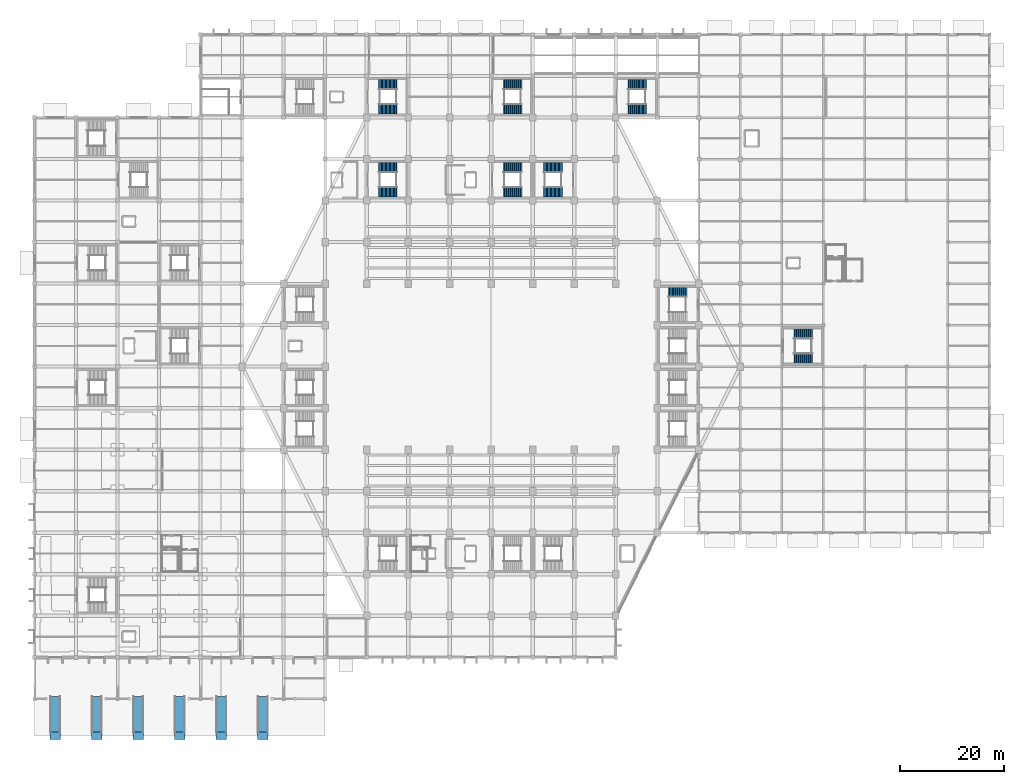
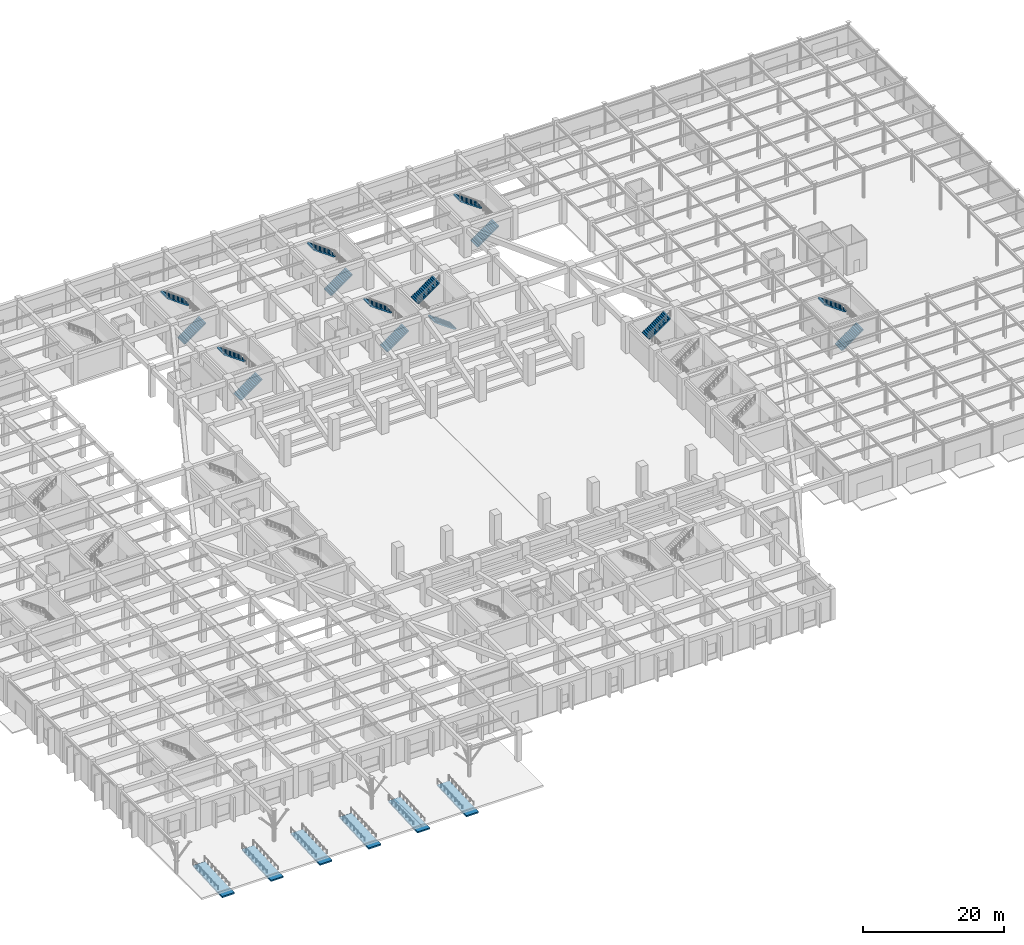
# One storey, part 34 of 39: 15 stair flights, 6 ramps, 6 ramp flights, 8 elements without a shape of their own.
"""IFC4 building model written with IfcOpenShell, lengths in metres."""

from ifc_helpers import new_model, si_unit, direction, frame, origin, origin_2d, place, context, subcontext, project, spatial, polyline, rectangle, outline, extrude, material, layer, layer_set, type_object, element, aggregate, save


model = new_model("IFC4")

# Units and contexts
model_context = context("Model", 3, precision=1e-05, world=origin(), true_north=direction((0.0, 1.0)))
body_context = subcontext(model_context, "Body", "Model", "MODEL_VIEW")
ifc_project = project(units=[si_unit("LENGTHUNIT", "METRE"), si_unit("AREAUNIT", "SQUARE_METRE"), si_unit("VOLUMEUNIT", "CUBIC_METRE"), si_unit("PLANEANGLEUNIT", "RADIAN"), si_unit("MASSUNIT", "GRAM", prefix="KILO")], contexts=[model_context])

# Site, building, storey
site_placement = place(None, origin())
site = spatial("IfcSite", under=ifc_project, at=site_placement, CompositionType="ELEMENT")
building_placement = place(site_placement, origin())
building = spatial("IfcBuilding", under=site, at=building_placement, Name="Tazarka Park Arena", CompositionType="ELEMENT")
storey_placement = place(building_placement, origin())
storey = spatial("IfcBuildingStorey", under=building, at=storey_placement, Name="L00", CompositionType="ELEMENT", Elevation=0.0)

# Stair, stair flights
ifc_material_1 = material(Name="Precast concrete C40/50", Category="concrete")
stair_type_1 = type_object("IfcStairType", Name="STR-2400", PredefinedType="HALF_TURN_STAIR", material=ifc_material_1)
stair_1_placement = place(storey_placement, origin())
stair_1 = element("IfcStair", 1, at=stair_1_placement, inside=storey, type_object=stair_type_1, Name="Stair ST06 L00", PredefinedType="HALF_TURN_STAIR")
ifc_material_2 = material(Name="Precast concrete C40/50", Category="concrete")
stair_flight_type_1 = type_object("IfcStairFlightType", Name="FLT-1350", PredefinedType="STRAIGHT", material=ifc_material_2)
stair_flight_1_placement = place(storey_placement, frame((66.31494140625, 113.6298828125, 0.0), z_axis=(0.0, 0.0, 1.0), x_axis=(1.0, 0.0, 0.0)))
stair_flight_1 = element("IfcStairFlight", 2, at=stair_flight_1_placement, type_object=stair_flight_type_1, Name="ST06-L00 flight 1", NumberOfRisers=15, NumberOfTreads=14, PredefinedType="STRAIGHT", RiserHeight=0.18, TreadLength=0.255, context=body_context, shape_type="SweptSolid", body=[
    extrude(outline(polyline([(0.0, 0.0), (0.0, 0.179931640625), (0.2548828125, 0.179931640625), (0.2548828125, 0.360107421875), (0.510009765625, 0.360107421875), (0.510009765625, 0.5400390625), (0.764892578125, 0.5400390625), (0.764892578125, 0.719970703125), (1.02001953125, 0.719970703125), (1.02001953125, 0.89990234375), (1.27490234375, 0.89990234375), (1.27490234375, 1.080078125), (1.530029296875, 1.080078125), (1.530029296875, 1.260009765625), (1.784912109375, 1.260009765625), (1.784912109375, 1.43994140625), (2.0400390625, 1.43994140625), (2.0400390625, 1.6201171875), (2.294921875, 1.6201171875), (2.294921875, 1.800048828125), (2.550048828125, 1.800048828125), (2.550048828125, 1.97998046875), (2.804931640625, 1.97998046875), (2.804931640625, 2.159912109375), (3.06005859375, 2.159912109375), (3.06005859375, 2.340087890625), (3.31494140625, 2.340087890625), (3.31494140625, 2.52001953125), (3.570068359375, 2.52001953125), (3.570068359375, 2.699951171875), (3.570068359375, 2.2998046875), (0.31201171875, 0.0), (0.0, 0.0)])), frame((0.0, 0.969970703125, 0.0), z_axis=(0.0, -1.0, 0.0), x_axis=(1.0, 0.0, 0.0)), (0.0, 0.0, 1.0), 1.93994140625),
])
stair_flight_2_placement = place(storey_placement, frame((69.885009765625, 118.3701171875, 2.699951171875), z_axis=(0.0, 0.0, 1.0), x_axis=(-1.0, 0.0, 0.0)))
stair_flight_2 = element("IfcStairFlight", 3, at=stair_flight_2_placement, type_object=stair_flight_type_1, Name="ST06-L00 flight 2", NumberOfRisers=15, NumberOfTreads=14, PredefinedType="STRAIGHT", RiserHeight=0.18, TreadLength=0.255, context=body_context, shape_type="SweptSolid", body=[
    extrude(outline(polyline([(0.0, 0.0), (0.0, 0.179931640625), (0.2548828125, 0.179931640625), (0.2548828125, 0.360107421875), (0.510009765625, 0.360107421875), (0.510009765625, 0.5400390625), (0.764892578125, 0.5400390625), (0.764892578125, 0.719970703125), (1.02001953125, 0.719970703125), (1.02001953125, 0.89990234375), (1.27490234375, 0.89990234375), (1.27490234375, 1.080078125), (1.530029296875, 1.080078125), (1.530029296875, 1.260009765625), (1.784912109375, 1.260009765625), (1.784912109375, 1.43994140625), (2.0400390625, 1.43994140625), (2.0400390625, 1.6201171875), (2.294921875, 1.6201171875), (2.294921875, 1.800048828125), (2.550048828125, 1.800048828125), (2.550048828125, 1.97998046875), (2.804931640625, 1.97998046875), (2.804931640625, 2.159912109375), (3.06005859375, 2.159912109375), (3.06005859375, 2.340087890625), (3.31494140625, 2.340087890625), (3.31494140625, 2.52001953125), (3.570068359375, 2.52001953125), (3.570068359375, 2.699951171875), (3.570068359375, 2.2998046875), (0.31201171875, 0.0), (0.0, 0.0)])), frame((0.0, 0.969970703125, 0.0), z_axis=(0.0, -1.0, 0.0), x_axis=(1.0, 0.0, 0.0)), (0.0, 0.0, 1.0), 1.93994140625),
])
aggregate(stair_1, [stair_flight_1, stair_flight_2])

stair_2_placement = place(storey_placement, origin())
stair_2 = element("IfcStair", 4, at=stair_2_placement, inside=storey, type_object=stair_type_1, Name="Stair ST07 L00", PredefinedType="HALF_TURN_STAIR")
stair_flight_3_placement = place(storey_placement, frame((90.31494140625, 113.6298828125, 0.0), z_axis=(0.0, 0.0, 1.0), x_axis=(1.0, 0.0, 0.0)))
stair_flight_3 = element("IfcStairFlight", 5, at=stair_flight_3_placement, type_object=stair_flight_type_1, Name="ST07-L00 flight 1", NumberOfRisers=15, NumberOfTreads=14, PredefinedType="STRAIGHT", RiserHeight=0.18, TreadLength=0.255, context=body_context, shape_type="SweptSolid", body=[
    extrude(outline(polyline([(0.0, 0.0), (0.0, 0.179931640625), (0.2548828125, 0.179931640625), (0.2548828125, 0.360107421875), (0.510009765625, 0.360107421875), (0.510009765625, 0.5400390625), (0.764892578125, 0.5400390625), (0.764892578125, 0.719970703125), (1.02001953125, 0.719970703125), (1.02001953125, 0.89990234375), (1.27490234375, 0.89990234375), (1.27490234375, 1.080078125), (1.530029296875, 1.080078125), (1.530029296875, 1.260009765625), (1.784912109375, 1.260009765625), (1.784912109375, 1.43994140625), (2.0400390625, 1.43994140625), (2.0400390625, 1.6201171875), (2.294921875, 1.6201171875), (2.294921875, 1.800048828125), (2.550048828125, 1.800048828125), (2.550048828125, 1.97998046875), (2.804931640625, 1.97998046875), (2.804931640625, 2.159912109375), (3.06005859375, 2.159912109375), (3.06005859375, 2.340087890625), (3.31494140625, 2.340087890625), (3.31494140625, 2.52001953125), (3.570068359375, 2.52001953125), (3.570068359375, 2.699951171875), (3.570068359375, 2.2998046875), (0.31201171875, 0.0), (0.0, 0.0)])), frame((0.0, 0.969970703125, 0.0), z_axis=(0.0, -1.0, 0.0), x_axis=(1.0, 0.0, 0.0)), (0.0, 0.0, 1.0), 1.93994140625),
])
stair_flight_4_placement = place(storey_placement, frame((93.885009765625, 118.3701171875, 2.699951171875), z_axis=(0.0, 0.0, 1.0), x_axis=(-1.0, 0.0, 0.0)))
stair_flight_4 = element("IfcStairFlight", 6, at=stair_flight_4_placement, type_object=stair_flight_type_1, Name="ST07-L00 flight 2", NumberOfRisers=15, NumberOfTreads=14, PredefinedType="STRAIGHT", RiserHeight=0.18, TreadLength=0.255, context=body_context, shape_type="SweptSolid", body=[
    extrude(outline(polyline([(0.0, 0.0), (0.0, 0.179931640625), (0.2548828125, 0.179931640625), (0.2548828125, 0.360107421875), (0.510009765625, 0.360107421875), (0.510009765625, 0.5400390625), (0.764892578125, 0.5400390625), (0.764892578125, 0.719970703125), (1.02001953125, 0.719970703125), (1.02001953125, 0.89990234375), (1.27490234375, 0.89990234375), (1.27490234375, 1.080078125), (1.530029296875, 1.080078125), (1.530029296875, 1.260009765625), (1.784912109375, 1.260009765625), (1.784912109375, 1.43994140625), (2.0400390625, 1.43994140625), (2.0400390625, 1.6201171875), (2.294921875, 1.6201171875), (2.294921875, 1.800048828125), (2.550048828125, 1.800048828125), (2.550048828125, 1.97998046875), (2.804931640625, 1.97998046875), (2.804931640625, 2.159912109375), (3.06005859375, 2.159912109375), (3.06005859375, 2.340087890625), (3.31494140625, 2.340087890625), (3.31494140625, 2.52001953125), (3.570068359375, 2.52001953125), (3.570068359375, 2.699951171875), (3.570068359375, 2.2998046875), (0.31201171875, 0.0), (0.0, 0.0)])), frame((0.0, 0.969970703125, 0.0), z_axis=(0.0, -1.0, 0.0), x_axis=(1.0, 0.0, 0.0)), (0.0, 0.0, 1.0), 1.93994140625),
])
aggregate(stair_2, [stair_flight_3, stair_flight_4])

stair_3_placement = place(storey_placement, origin())
stair_3 = element("IfcStair", 7, at=stair_3_placement, inside=storey, type_object=stair_type_1, Name="Stair ST08 L00", PredefinedType="HALF_TURN_STAIR")
stair_flight_5_placement = place(storey_placement, frame((114.31494140625, 113.6298828125, 0.0), z_axis=(0.0, 0.0, 1.0), x_axis=(1.0, 0.0, 0.0)))
stair_flight_5 = element("IfcStairFlight", 8, at=stair_flight_5_placement, type_object=stair_flight_type_1, Name="ST08-L00 flight 1", NumberOfRisers=15, NumberOfTreads=14, PredefinedType="STRAIGHT", RiserHeight=0.18, TreadLength=0.255, context=body_context, shape_type="SweptSolid", body=[
    extrude(outline(polyline([(0.0, 0.0), (0.0, 0.179931640625), (0.2548828125, 0.179931640625), (0.2548828125, 0.360107421875), (0.510009765625, 0.360107421875), (0.510009765625, 0.5400390625), (0.764892578125, 0.5400390625), (0.764892578125, 0.719970703125), (1.02001953125, 0.719970703125), (1.02001953125, 0.89990234375), (1.27490234375, 0.89990234375), (1.27490234375, 1.080078125), (1.530029296875, 1.080078125), (1.530029296875, 1.260009765625), (1.784912109375, 1.260009765625), (1.784912109375, 1.43994140625), (2.0400390625, 1.43994140625), (2.0400390625, 1.6201171875), (2.294921875, 1.6201171875), (2.294921875, 1.800048828125), (2.550048828125, 1.800048828125), (2.550048828125, 1.97998046875), (2.804931640625, 1.97998046875), (2.804931640625, 2.159912109375), (3.06005859375, 2.159912109375), (3.06005859375, 2.340087890625), (3.31494140625, 2.340087890625), (3.31494140625, 2.52001953125), (3.570068359375, 2.52001953125), (3.570068359375, 2.699951171875), (3.570068359375, 2.2998046875), (0.31201171875, 0.0), (0.0, 0.0)])), frame((0.0, 0.969970703125, 0.0), z_axis=(0.0, -1.0, 0.0), x_axis=(1.0, 0.0, 0.0)), (0.0, 0.0, 1.0), 1.93994140625),
])
stair_flight_6_placement = place(storey_placement, frame((117.885009765625, 118.3701171875, 2.699951171875), z_axis=(0.0, 0.0, 1.0), x_axis=(-1.0, 0.0, 0.0)))
stair_flight_6 = element("IfcStairFlight", 9, at=stair_flight_6_placement, type_object=stair_flight_type_1, Name="ST08-L00 flight 2", NumberOfRisers=15, NumberOfTreads=14, PredefinedType="STRAIGHT", RiserHeight=0.18, TreadLength=0.255, context=body_context, shape_type="SweptSolid", body=[
    extrude(outline(polyline([(0.0, 0.0), (0.0, 0.179931640625), (0.2548828125, 0.179931640625), (0.2548828125, 0.360107421875), (0.510009765625, 0.360107421875), (0.510009765625, 0.5400390625), (0.764892578125, 0.5400390625), (0.764892578125, 0.719970703125), (1.02001953125, 0.719970703125), (1.02001953125, 0.89990234375), (1.27490234375, 0.89990234375), (1.27490234375, 1.080078125), (1.530029296875, 1.080078125), (1.530029296875, 1.260009765625), (1.784912109375, 1.260009765625), (1.784912109375, 1.43994140625), (2.0400390625, 1.43994140625), (2.0400390625, 1.6201171875), (2.294921875, 1.6201171875), (2.294921875, 1.800048828125), (2.550048828125, 1.800048828125), (2.550048828125, 1.97998046875), (2.804931640625, 1.97998046875), (2.804931640625, 2.159912109375), (3.06005859375, 2.159912109375), (3.06005859375, 2.340087890625), (3.31494140625, 2.340087890625), (3.31494140625, 2.52001953125), (3.570068359375, 2.52001953125), (3.570068359375, 2.699951171875), (3.570068359375, 2.2998046875), (0.31201171875, 0.0), (0.0, 0.0)])), frame((0.0, 0.969970703125, 0.0), z_axis=(0.0, -1.0, 0.0), x_axis=(1.0, 0.0, 0.0)), (0.0, 0.0, 1.0), 1.93994140625),
])
aggregate(stair_3, [stair_flight_5, stair_flight_6])

stair_4_placement = place(storey_placement, origin())
stair_4 = element("IfcStair", 10, at=stair_4_placement, inside=storey, type_object=stair_type_1, Name="Stair ST10 L00", PredefinedType="HALF_TURN_STAIR")
stair_flight_7_placement = place(storey_placement, frame((101.68505859375, 97.6298828125, 0.0), z_axis=(0.0, 0.0, 1.0), x_axis=(-1.0, 0.0, 0.0)))
stair_flight_7 = element("IfcStairFlight", 11, at=stair_flight_7_placement, type_object=stair_flight_type_1, Name="ST10-L00 flight 1", NumberOfRisers=15, NumberOfTreads=14, PredefinedType="STRAIGHT", RiserHeight=0.18, TreadLength=0.255, context=body_context, shape_type="SweptSolid", body=[
    extrude(outline(polyline([(0.0, 0.0), (0.0, 0.179931640625), (0.2548828125, 0.179931640625), (0.2548828125, 0.360107421875), (0.510009765625, 0.360107421875), (0.510009765625, 0.5400390625), (0.764892578125, 0.5400390625), (0.764892578125, 0.719970703125), (1.02001953125, 0.719970703125), (1.02001953125, 0.89990234375), (1.27490234375, 0.89990234375), (1.27490234375, 1.080078125), (1.530029296875, 1.080078125), (1.530029296875, 1.260009765625), (1.784912109375, 1.260009765625), (1.784912109375, 1.43994140625), (2.0400390625, 1.43994140625), (2.0400390625, 1.6201171875), (2.294921875, 1.6201171875), (2.294921875, 1.800048828125), (2.550048828125, 1.800048828125), (2.550048828125, 1.97998046875), (2.804931640625, 1.97998046875), (2.804931640625, 2.159912109375), (3.06005859375, 2.159912109375), (3.06005859375, 2.340087890625), (3.31494140625, 2.340087890625), (3.31494140625, 2.52001953125), (3.570068359375, 2.52001953125), (3.570068359375, 2.699951171875), (3.570068359375, 2.2998046875), (0.31201171875, 0.0), (0.0, 0.0)])), frame((0.0, 0.969970703125, 0.0), z_axis=(0.0, -1.0, 0.0), x_axis=(1.0, 0.0, 0.0)), (0.0, 0.0, 1.0), 1.93994140625),
])
stair_flight_8_placement = place(storey_placement, frame((98.114990234375, 102.3701171875, 2.699951171875), z_axis=(0.0, 0.0, 1.0), x_axis=(1.0, 0.0, 0.0)))
stair_flight_8 = element("IfcStairFlight", 12, at=stair_flight_8_placement, type_object=stair_flight_type_1, Name="ST10-L00 flight 2", NumberOfRisers=15, NumberOfTreads=14, PredefinedType="STRAIGHT", RiserHeight=0.18, TreadLength=0.255, context=body_context, shape_type="SweptSolid", body=[
    extrude(outline(polyline([(0.0, 0.0), (0.0, 0.179931640625), (0.2548828125, 0.179931640625), (0.2548828125, 0.360107421875), (0.510009765625, 0.360107421875), (0.510009765625, 0.5400390625), (0.764892578125, 0.5400390625), (0.764892578125, 0.719970703125), (1.02001953125, 0.719970703125), (1.02001953125, 0.89990234375), (1.27490234375, 0.89990234375), (1.27490234375, 1.080078125), (1.530029296875, 1.080078125), (1.530029296875, 1.260009765625), (1.784912109375, 1.260009765625), (1.784912109375, 1.43994140625), (2.0400390625, 1.43994140625), (2.0400390625, 1.6201171875), (2.294921875, 1.6201171875), (2.294921875, 1.800048828125), (2.550048828125, 1.800048828125), (2.550048828125, 1.97998046875), (2.804931640625, 1.97998046875), (2.804931640625, 2.159912109375), (3.06005859375, 2.159912109375), (3.06005859375, 2.340087890625), (3.31494140625, 2.340087890625), (3.31494140625, 2.52001953125), (3.570068359375, 2.52001953125), (3.570068359375, 2.699951171875), (3.570068359375, 2.2998046875), (0.31201171875, 0.0), (0.0, 0.0)])), frame((0.0, 0.969970703125, 0.0), z_axis=(0.0, -1.0, 0.0), x_axis=(1.0, 0.0, 0.0)), (0.0, 0.0, 1.0), 1.93994140625),
])
aggregate(stair_4, [stair_flight_7, stair_flight_8])

stair_5_placement = place(storey_placement, origin())
stair_5 = element("IfcStair", 13, at=stair_5_placement, inside=storey, type_object=stair_type_1, Name="Stair ST14 L00", PredefinedType="HALF_TURN_STAIR")
stair_flight_9_placement = place(storey_placement, frame((66.31494140625, 97.6298828125, 0.0), z_axis=(0.0, 0.0, 1.0), x_axis=(1.0, 0.0, 0.0)))
stair_flight_9 = element("IfcStairFlight", 14, at=stair_flight_9_placement, type_object=stair_flight_type_1, Name="ST14-L00 flight 1", NumberOfRisers=15, NumberOfTreads=14, PredefinedType="STRAIGHT", RiserHeight=0.18, TreadLength=0.255, context=body_context, shape_type="SweptSolid", body=[
    extrude(outline(polyline([(0.0, 0.0), (0.0, 0.179931640625), (0.2548828125, 0.179931640625), (0.2548828125, 0.360107421875), (0.510009765625, 0.360107421875), (0.510009765625, 0.5400390625), (0.764892578125, 0.5400390625), (0.764892578125, 0.719970703125), (1.02001953125, 0.719970703125), (1.02001953125, 0.89990234375), (1.27490234375, 0.89990234375), (1.27490234375, 1.080078125), (1.530029296875, 1.080078125), (1.530029296875, 1.260009765625), (1.784912109375, 1.260009765625), (1.784912109375, 1.43994140625), (2.0400390625, 1.43994140625), (2.0400390625, 1.6201171875), (2.294921875, 1.6201171875), (2.294921875, 1.800048828125), (2.550048828125, 1.800048828125), (2.550048828125, 1.97998046875), (2.804931640625, 1.97998046875), (2.804931640625, 2.159912109375), (3.06005859375, 2.159912109375), (3.06005859375, 2.340087890625), (3.31494140625, 2.340087890625), (3.31494140625, 2.52001953125), (3.570068359375, 2.52001953125), (3.570068359375, 2.699951171875), (3.570068359375, 2.2998046875), (0.31201171875, 0.0), (0.0, 0.0)])), frame((0.0, 0.969970703125, 0.0), z_axis=(0.0, -1.0, 0.0), x_axis=(1.0, 0.0, 0.0)), (0.0, 0.0, 1.0), 1.93994140625),
])
stair_flight_10_placement = place(storey_placement, frame((69.885009765625, 102.3701171875, 2.699951171875), z_axis=(0.0, 0.0, 1.0), x_axis=(-1.0, 0.0, 0.0)))
stair_flight_10 = element("IfcStairFlight", 15, at=stair_flight_10_placement, type_object=stair_flight_type_1, Name="ST14-L00 flight 2", NumberOfRisers=15, NumberOfTreads=14, PredefinedType="STRAIGHT", RiserHeight=0.18, TreadLength=0.255, context=body_context, shape_type="SweptSolid", body=[
    extrude(outline(polyline([(0.0, 0.0), (0.0, 0.179931640625), (0.2548828125, 0.179931640625), (0.2548828125, 0.360107421875), (0.510009765625, 0.360107421875), (0.510009765625, 0.5400390625), (0.764892578125, 0.5400390625), (0.764892578125, 0.719970703125), (1.02001953125, 0.719970703125), (1.02001953125, 0.89990234375), (1.27490234375, 0.89990234375), (1.27490234375, 1.080078125), (1.530029296875, 1.080078125), (1.530029296875, 1.260009765625), (1.784912109375, 1.260009765625), (1.784912109375, 1.43994140625), (2.0400390625, 1.43994140625), (2.0400390625, 1.6201171875), (2.294921875, 1.6201171875), (2.294921875, 1.800048828125), (2.550048828125, 1.800048828125), (2.550048828125, 1.97998046875), (2.804931640625, 1.97998046875), (2.804931640625, 2.159912109375), (3.06005859375, 2.159912109375), (3.06005859375, 2.340087890625), (3.31494140625, 2.340087890625), (3.31494140625, 2.52001953125), (3.570068359375, 2.52001953125), (3.570068359375, 2.699951171875), (3.570068359375, 2.2998046875), (0.31201171875, 0.0), (0.0, 0.0)])), frame((0.0, 0.969970703125, 0.0), z_axis=(0.0, -1.0, 0.0), x_axis=(1.0, 0.0, 0.0)), (0.0, 0.0, 1.0), 1.93994140625),
])
aggregate(stair_5, [stair_flight_9, stair_flight_10])

stair_6_placement = place(storey_placement, origin())
stair_6 = element("IfcStair", 16, at=stair_6_placement, inside=storey, type_object=stair_type_1, Name="Stair ST15 L00", PredefinedType="HALF_TURN_STAIR")
stair_flight_11_placement = place(storey_placement, frame((90.31494140625, 97.6298828125, 0.0), z_axis=(0.0, 0.0, 1.0), x_axis=(1.0, 0.0, 0.0)))
stair_flight_11 = element("IfcStairFlight", 17, at=stair_flight_11_placement, type_object=stair_flight_type_1, Name="ST15-L00 flight 1", NumberOfRisers=15, NumberOfTreads=14, PredefinedType="STRAIGHT", RiserHeight=0.18, TreadLength=0.255, context=body_context, shape_type="SweptSolid", body=[
    extrude(outline(polyline([(0.0, 0.0), (0.0, 0.179931640625), (0.2548828125, 0.179931640625), (0.2548828125, 0.360107421875), (0.510009765625, 0.360107421875), (0.510009765625, 0.5400390625), (0.764892578125, 0.5400390625), (0.764892578125, 0.719970703125), (1.02001953125, 0.719970703125), (1.02001953125, 0.89990234375), (1.27490234375, 0.89990234375), (1.27490234375, 1.080078125), (1.530029296875, 1.080078125), (1.530029296875, 1.260009765625), (1.784912109375, 1.260009765625), (1.784912109375, 1.43994140625), (2.0400390625, 1.43994140625), (2.0400390625, 1.6201171875), (2.294921875, 1.6201171875), (2.294921875, 1.800048828125), (2.550048828125, 1.800048828125), (2.550048828125, 1.97998046875), (2.804931640625, 1.97998046875), (2.804931640625, 2.159912109375), (3.06005859375, 2.159912109375), (3.06005859375, 2.340087890625), (3.31494140625, 2.340087890625), (3.31494140625, 2.52001953125), (3.570068359375, 2.52001953125), (3.570068359375, 2.699951171875), (3.570068359375, 2.2998046875), (0.31201171875, 0.0), (0.0, 0.0)])), frame((0.0, 0.969970703125, 0.0), z_axis=(0.0, -1.0, 0.0), x_axis=(1.0, 0.0, 0.0)), (0.0, 0.0, 1.0), 1.93994140625),
])
stair_flight_12_placement = place(storey_placement, frame((93.885009765625, 102.3701171875, 2.699951171875), z_axis=(0.0, 0.0, 1.0), x_axis=(-1.0, 0.0, 0.0)))
stair_flight_12 = element("IfcStairFlight", 18, at=stair_flight_12_placement, type_object=stair_flight_type_1, Name="ST15-L00 flight 2", NumberOfRisers=15, NumberOfTreads=14, PredefinedType="STRAIGHT", RiserHeight=0.18, TreadLength=0.255, context=body_context, shape_type="SweptSolid", body=[
    extrude(outline(polyline([(0.0, 0.0), (0.0, 0.179931640625), (0.2548828125, 0.179931640625), (0.2548828125, 0.360107421875), (0.510009765625, 0.360107421875), (0.510009765625, 0.5400390625), (0.764892578125, 0.5400390625), (0.764892578125, 0.719970703125), (1.02001953125, 0.719970703125), (1.02001953125, 0.89990234375), (1.27490234375, 0.89990234375), (1.27490234375, 1.080078125), (1.530029296875, 1.080078125), (1.530029296875, 1.260009765625), (1.784912109375, 1.260009765625), (1.784912109375, 1.43994140625), (2.0400390625, 1.43994140625), (2.0400390625, 1.6201171875), (2.294921875, 1.6201171875), (2.294921875, 1.800048828125), (2.550048828125, 1.800048828125), (2.550048828125, 1.97998046875), (2.804931640625, 1.97998046875), (2.804931640625, 2.159912109375), (3.06005859375, 2.159912109375), (3.06005859375, 2.340087890625), (3.31494140625, 2.340087890625), (3.31494140625, 2.52001953125), (3.570068359375, 2.52001953125), (3.570068359375, 2.699951171875), (3.570068359375, 2.2998046875), (0.31201171875, 0.0), (0.0, 0.0)])), frame((0.0, 0.969970703125, 0.0), z_axis=(0.0, -1.0, 0.0), x_axis=(1.0, 0.0, 0.0)), (0.0, 0.0, 1.0), 1.93994140625),
])
aggregate(stair_6, [stair_flight_11, stair_flight_12])

stair_7_placement = place(storey_placement, origin())
stair_7 = element("IfcStair", 19, at=stair_7_placement, inside=storey, type_object=stair_type_1, Name="Stair ST18 L00", PredefinedType="HALF_TURN_STAIR")
stair_flight_13_placement = place(storey_placement, frame((146.31494140625, 65.6298828125, 0.0), z_axis=(0.0, 0.0, 1.0), x_axis=(1.0, 0.0, 0.0)))
stair_flight_13 = element("IfcStairFlight", 20, at=stair_flight_13_placement, type_object=stair_flight_type_1, Name="ST18-L00 flight 1", NumberOfRisers=15, NumberOfTreads=14, PredefinedType="STRAIGHT", RiserHeight=0.18, TreadLength=0.255, context=body_context, shape_type="SweptSolid", body=[
    extrude(outline(polyline([(0.0, 0.0), (0.0, 0.179931640625), (0.2548828125, 0.179931640625), (0.2548828125, 0.360107421875), (0.510009765625, 0.360107421875), (0.510009765625, 0.5400390625), (0.764892578125, 0.5400390625), (0.764892578125, 0.719970703125), (1.02001953125, 0.719970703125), (1.02001953125, 0.89990234375), (1.27490234375, 0.89990234375), (1.27490234375, 1.080078125), (1.530029296875, 1.080078125), (1.530029296875, 1.260009765625), (1.784912109375, 1.260009765625), (1.784912109375, 1.43994140625), (2.0400390625, 1.43994140625), (2.0400390625, 1.6201171875), (2.294921875, 1.6201171875), (2.294921875, 1.800048828125), (2.550048828125, 1.800048828125), (2.550048828125, 1.97998046875), (2.804931640625, 1.97998046875), (2.804931640625, 2.159912109375), (3.06005859375, 2.159912109375), (3.06005859375, 2.340087890625), (3.31494140625, 2.340087890625), (3.31494140625, 2.52001953125), (3.570068359375, 2.52001953125), (3.570068359375, 2.699951171875), (3.570068359375, 2.2998046875), (0.31201171875, 0.0), (0.0, 0.0)])), frame((0.0, 0.969970703125, 0.0), z_axis=(0.0, -1.0, 0.0), x_axis=(1.0, 0.0, 0.0)), (0.0, 0.0, 1.0), 1.93994140625),
])
stair_flight_14_placement = place(storey_placement, frame((149.885009765625, 70.3701171875, 2.699951171875), z_axis=(0.0, 0.0, 1.0), x_axis=(-1.0, 0.0, 0.0)))
stair_flight_14 = element("IfcStairFlight", 21, at=stair_flight_14_placement, type_object=stair_flight_type_1, Name="ST18-L00 flight 2", NumberOfRisers=15, NumberOfTreads=14, PredefinedType="STRAIGHT", RiserHeight=0.18, TreadLength=0.255, context=body_context, shape_type="SweptSolid", body=[
    extrude(outline(polyline([(0.0, 0.0), (0.0, 0.179931640625), (0.2548828125, 0.179931640625), (0.2548828125, 0.360107421875), (0.510009765625, 0.360107421875), (0.510009765625, 0.5400390625), (0.764892578125, 0.5400390625), (0.764892578125, 0.719970703125), (1.02001953125, 0.719970703125), (1.02001953125, 0.89990234375), (1.27490234375, 0.89990234375), (1.27490234375, 1.080078125), (1.530029296875, 1.080078125), (1.530029296875, 1.260009765625), (1.784912109375, 1.260009765625), (1.784912109375, 1.43994140625), (2.0400390625, 1.43994140625), (2.0400390625, 1.6201171875), (2.294921875, 1.6201171875), (2.294921875, 1.800048828125), (2.550048828125, 1.800048828125), (2.550048828125, 1.97998046875), (2.804931640625, 1.97998046875), (2.804931640625, 2.159912109375), (3.06005859375, 2.159912109375), (3.06005859375, 2.340087890625), (3.31494140625, 2.340087890625), (3.31494140625, 2.52001953125), (3.570068359375, 2.52001953125), (3.570068359375, 2.699951171875), (3.570068359375, 2.2998046875), (0.31201171875, 0.0), (0.0, 0.0)])), frame((0.0, 0.969970703125, 0.0), z_axis=(0.0, -1.0, 0.0), x_axis=(1.0, 0.0, 0.0)), (0.0, 0.0, 1.0), 1.93994140625),
])
aggregate(stair_7, [stair_flight_13, stair_flight_14])

# Stair, stair flight
ifc_material_3 = material(Name="Precast concrete C40/50", Category="concrete")
stair_type_2 = type_object("IfcStairType", Name="STR-1800", PredefinedType="HALF_TURN_STAIR", material=ifc_material_3)
stair_8_placement = place(storey_placement, origin())
stair_8 = element("IfcStair", 22, at=stair_8_placement, inside=storey, type_object=stair_type_2, Name="Vomitory Stair ST22 L00", PredefinedType="HALF_TURN_STAIR")
ifc_material_4 = material(Name="Precast concrete C40/50", Category="concrete")
stair_flight_type_2 = type_object("IfcStairFlightType", Name="FLT-1800", PredefinedType="STRAIGHT", material=ifc_material_4)
stair_flight_15_placement = place(storey_placement, frame((122.114990234375, 78.389892578125, 2.699951171875), z_axis=(0.0, 0.0, 1.0), x_axis=(1.0, 0.0, 0.0)))
stair_flight_15 = element("IfcStairFlight", 23, at=stair_flight_15_placement, type_object=stair_flight_type_2, Name="ST22-L00 flight 2", NumberOfRisers=15, NumberOfTreads=14, PredefinedType="STRAIGHT", RiserHeight=0.18, TreadLength=0.255, context=body_context, shape_type="SweptSolid", body=[
    extrude(outline(polyline([(0.0, 0.0), (0.0, 0.179931640625), (0.2548828125, 0.179931640625), (0.2548828125, 0.360107421875), (0.510009765625, 0.360107421875), (0.510009765625, 0.5400390625), (0.764892578125, 0.5400390625), (0.764892578125, 0.719970703125), (1.02001953125, 0.719970703125), (1.02001953125, 0.89990234375), (1.27490234375, 0.89990234375), (1.27490234375, 1.080078125), (1.530029296875, 1.080078125), (1.530029296875, 1.260009765625), (1.784912109375, 1.260009765625), (1.784912109375, 1.43994140625), (2.0400390625, 1.43994140625), (2.0400390625, 1.6201171875), (2.294921875, 1.6201171875), (2.294921875, 1.800048828125), (2.550048828125, 1.800048828125), (2.550048828125, 1.97998046875), (2.804931640625, 1.97998046875), (2.804931640625, 2.159912109375), (3.06005859375, 2.159912109375), (3.06005859375, 2.340087890625), (3.31494140625, 2.340087890625), (3.31494140625, 2.52001953125), (3.570068359375, 2.52001953125), (3.570068359375, 2.699951171875), (3.570068359375, 2.2998046875), (0.31201171875, 0.0), (0.0, 0.0)])), frame((0.0, 0.949951171875, 0.0), z_axis=(0.0, -1.0, 0.0), x_axis=(1.0, 0.0, 0.0)), (0.0, 0.0, 1.0), 1.89990234375),
])
aggregate(stair_8, [stair_flight_15])

# Ramp flight
ifc_material_5 = material(Name="Concrete C35/45", Category="concrete")
ifc_layer = layer(ifc_material_5, 0.25, Name="Concrete C35/45")
ifc_layer_set = layer_set([ifc_layer], Name="Concrete C35/45")
ramp_flight_type = type_object("IfcRampFlightType", Name="RMF-PED", PredefinedType="STRAIGHT", material=ifc_layer_set)
ramp_flight_1_placement = place(storey_placement, frame((3.0, -6.550048828125, -0.35009765625), z_axis=(0.0, -0.049951515669, 0.998751643845), x_axis=(1.0, 0.0, 0.0)))
ramp_flight_1 = element("IfcRampFlight", 24, at=ramp_flight_1_placement, type_object=ramp_flight_type, Name="Accessible Ramp Flight PRMP-01", PredefinedType="STRAIGHT", context=body_context, shape_type="SweptSolid", body=[
    extrude(outline(polyline([(0.0, 0.0), (2.0, 0.0), (2.0, 7.008749415474329), (0.0, 7.008749415474329), (0.0, 0.0)])), origin(), (0.0, 0.0, -1.0), 0.25),
])

ramp_flight_2_placement = place(storey_placement, frame((11.0, -6.550048828125, -0.35009765625), z_axis=(0.0, -0.049951515669, 0.998751643845), x_axis=(1.0, 0.0, 0.0)))
ramp_flight_2 = element("IfcRampFlight", 25, at=ramp_flight_2_placement, type_object=ramp_flight_type, Name="Accessible Ramp Flight PRMP-02", PredefinedType="STRAIGHT", context=body_context, shape_type="SweptSolid", body=[
    extrude(outline(polyline([(0.0, 0.0), (2.0, 0.0), (2.0, 7.008749415474329), (0.0, 7.008749415474329), (0.0, 0.0)])), origin(), (0.0, 0.0, -1.0), 0.25),
])

ramp_flight_3_placement = place(storey_placement, frame((19.0, -6.550048828125, -0.35009765625), z_axis=(0.0, -0.049951515669, 0.998751643845), x_axis=(1.0, 0.0, 0.0)))
ramp_flight_3 = element("IfcRampFlight", 26, at=ramp_flight_3_placement, type_object=ramp_flight_type, Name="Accessible Ramp Flight PRMP-03", PredefinedType="STRAIGHT", context=body_context, shape_type="SweptSolid", body=[
    extrude(outline(polyline([(0.0, 0.0), (2.0, 0.0), (2.0, 7.008749415474329), (0.0, 7.008749415474329), (0.0, 0.0)])), origin(), (0.0, 0.0, -1.0), 0.25),
])

ramp_flight_4_placement = place(storey_placement, frame((27.0, -6.550048828125, -0.35009765625), z_axis=(0.0, -0.049951515669, 0.998751643845), x_axis=(1.0, 0.0, 0.0)))
ramp_flight_4 = element("IfcRampFlight", 27, at=ramp_flight_4_placement, type_object=ramp_flight_type, Name="Accessible Ramp Flight PRMP-04", PredefinedType="STRAIGHT", context=body_context, shape_type="SweptSolid", body=[
    extrude(outline(polyline([(0.0, 0.0), (2.0, 0.0), (2.0, 7.008749415474329), (0.0, 7.008749415474329), (0.0, 0.0)])), origin(), (0.0, 0.0, -1.0), 0.25),
])

ramp_flight_5_placement = place(storey_placement, frame((35.0, -6.550048828125, -0.35009765625), z_axis=(0.0, -0.049951515669, 0.998751643845), x_axis=(1.0, 0.0, 0.0)))
ramp_flight_5 = element("IfcRampFlight", 28, at=ramp_flight_5_placement, type_object=ramp_flight_type, Name="Accessible Ramp Flight PRMP-05", PredefinedType="STRAIGHT", context=body_context, shape_type="SweptSolid", body=[
    extrude(outline(polyline([(0.0, 0.0), (2.0, 0.0), (2.0, 7.008749415474329), (0.0, 7.008749415474329), (0.0, 0.0)])), origin(), (0.0, 0.0, -1.0), 0.25),
])

ramp_flight_6_placement = place(storey_placement, frame((43.0, -6.550048828125, -0.35009765625), z_axis=(0.0, -0.049951515669, 0.998751643845), x_axis=(1.0, 0.0, 0.0)))
ramp_flight_6 = element("IfcRampFlight", 29, at=ramp_flight_6_placement, type_object=ramp_flight_type, Name="Accessible Ramp Flight PRMP-06", PredefinedType="STRAIGHT", context=body_context, shape_type="SweptSolid", body=[
    extrude(outline(polyline([(0.0, 0.0), (2.0, 0.0), (2.0, 7.008749415474329), (0.0, 7.008749415474329), (0.0, 0.0)])), origin(), (0.0, 0.0, -1.0), 0.25),
])

# Ramp
ifc_material_6 = material(Name="Concrete C35/45", Category="concrete")
ramp_type = type_object("IfcRampType", Name="RMP-PED", PredefinedType="STRAIGHT_RUN_RAMP", material=ifc_material_6)
ramp_1_placement = place(storey_placement, frame((4.0, -7.10009765625, -0.58984375), z_axis=(0.0, 0.0, 1.0), x_axis=(1.0, 0.0, 0.0)))
ramp_1 = element("IfcRamp", 30, at=ramp_1_placement, inside=storey, type_object=ramp_type, Name="Accessible Arrival Ramp PRMP-01", PredefinedType="STRAIGHT_RUN_RAMP", context=body_context, shape_type="SweptSolid", body=[
    extrude(rectangle(XDim=2.0, YDim=1.5, at=origin_2d()), origin(), (0.0, 0.0, 1.0), 0.239990234375),
])

aggregate(ramp_1, [ramp_flight_1])

ramp_2_placement = place(storey_placement, frame((12.0, -7.10009765625, -0.58984375), z_axis=(0.0, 0.0, 1.0), x_axis=(1.0, 0.0, 0.0)))
ramp_2 = element("IfcRamp", 31, at=ramp_2_placement, inside=storey, type_object=ramp_type, Name="Accessible Arrival Ramp PRMP-02", PredefinedType="STRAIGHT_RUN_RAMP", context=body_context, shape_type="SweptSolid", body=[
    extrude(rectangle(XDim=2.0, YDim=1.5, at=origin_2d()), origin(), (0.0, 0.0, 1.0), 0.239990234375),
])

aggregate(ramp_2, [ramp_flight_2])

ramp_3_placement = place(storey_placement, frame((20.0, -7.10009765625, -0.58984375), z_axis=(0.0, 0.0, 1.0), x_axis=(1.0, 0.0, 0.0)))
ramp_3 = element("IfcRamp", 32, at=ramp_3_placement, inside=storey, type_object=ramp_type, Name="Accessible Arrival Ramp PRMP-03", PredefinedType="STRAIGHT_RUN_RAMP", context=body_context, shape_type="SweptSolid", body=[
    extrude(rectangle(XDim=2.0, YDim=1.5, at=origin_2d()), origin(), (0.0, 0.0, 1.0), 0.239990234375),
])

aggregate(ramp_3, [ramp_flight_3])

ramp_4_placement = place(storey_placement, frame((28.0, -7.10009765625, -0.58984375), z_axis=(0.0, 0.0, 1.0), x_axis=(1.0, 0.0, 0.0)))
ramp_4 = element("IfcRamp", 33, at=ramp_4_placement, inside=storey, type_object=ramp_type, Name="Accessible Arrival Ramp PRMP-04", PredefinedType="STRAIGHT_RUN_RAMP", context=body_context, shape_type="SweptSolid", body=[
    extrude(rectangle(XDim=2.0, YDim=1.5, at=origin_2d()), origin(), (0.0, 0.0, 1.0), 0.239990234375),
])

aggregate(ramp_4, [ramp_flight_4])

ramp_5_placement = place(storey_placement, frame((36.0, -7.10009765625, -0.58984375), z_axis=(0.0, 0.0, 1.0), x_axis=(1.0, 0.0, 0.0)))
ramp_5 = element("IfcRamp", 34, at=ramp_5_placement, inside=storey, type_object=ramp_type, Name="Accessible Arrival Ramp PRMP-05", PredefinedType="STRAIGHT_RUN_RAMP", context=body_context, shape_type="SweptSolid", body=[
    extrude(rectangle(XDim=2.0, YDim=1.5, at=origin_2d()), origin(), (0.0, 0.0, 1.0), 0.239990234375),
])

aggregate(ramp_5, [ramp_flight_5])

ramp_6_placement = place(storey_placement, frame((44.0, -7.10009765625, -0.58984375), z_axis=(0.0, 0.0, 1.0), x_axis=(1.0, 0.0, 0.0)))
ramp_6 = element("IfcRamp", 35, at=ramp_6_placement, inside=storey, type_object=ramp_type, Name="Accessible Arrival Ramp PRMP-06", PredefinedType="STRAIGHT_RUN_RAMP", context=body_context, shape_type="SweptSolid", body=[
    extrude(rectangle(XDim=2.0, YDim=1.5, at=origin_2d()), origin(), (0.0, 0.0, 1.0), 0.239990234375),
])

aggregate(ramp_6, [ramp_flight_6])

save(model, "model.ifc")
